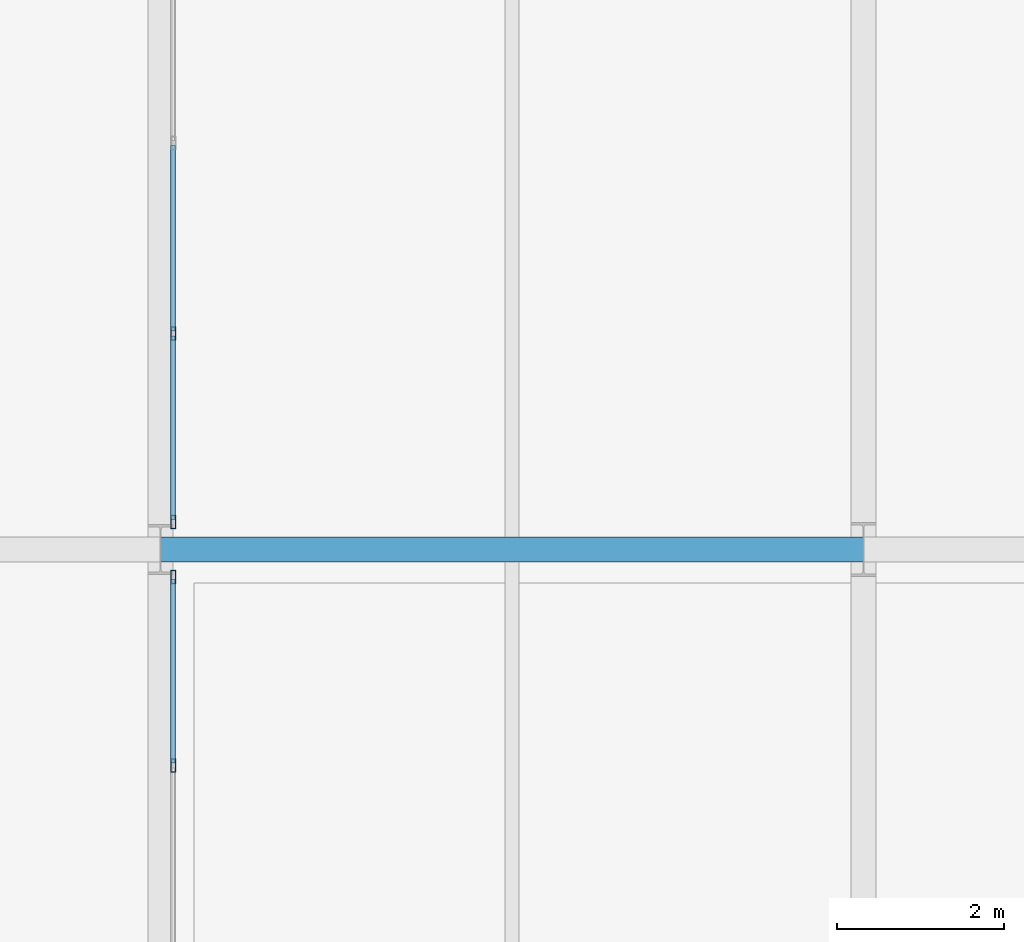
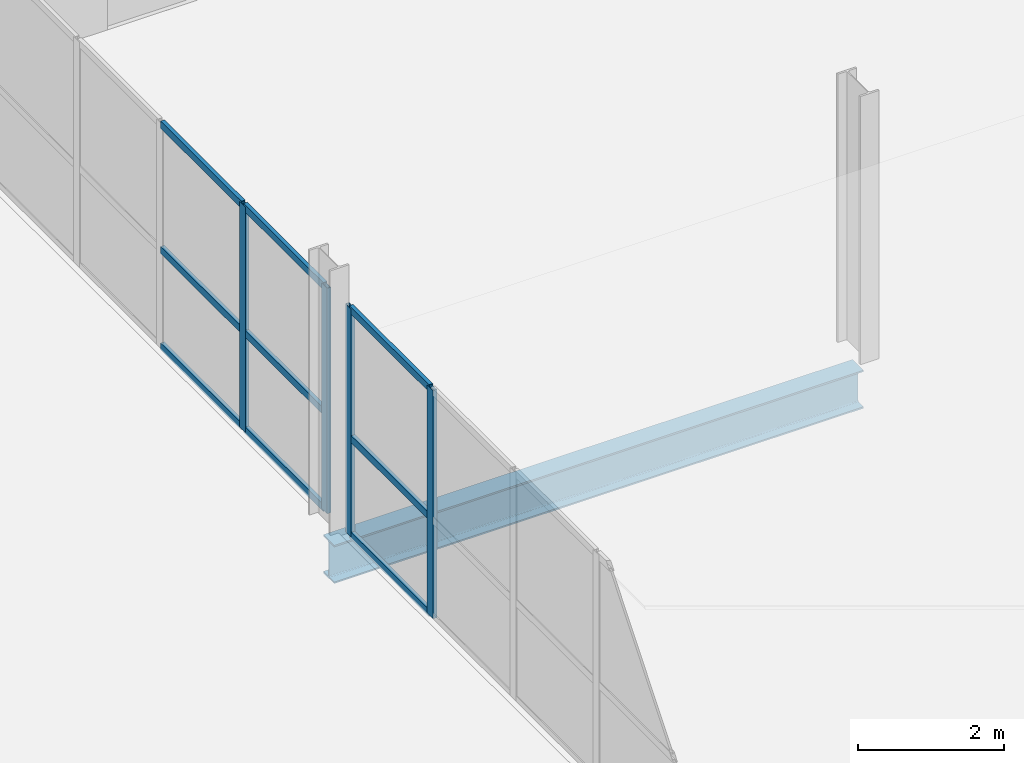
# One storey, part 42 of 130: 13 members, 1 beam, 2 elements without a shape of their own.
"""IFC4 building model written with IfcOpenShell, lengths in metres."""

from ifc_helpers import new_model, si_unit, direction, frame, origin, origin_2d, place, context, subcontext, project, spatial, hollow_rectangle, i_section, extrude, material, material_profile, profile_set, type_object, element, aggregate, save


model = new_model("IFC4")

# Units and contexts
model_context = context("Model", 3, precision=1e-05, world=origin(), true_north=direction((0.0, 1.0)))
body_context = subcontext(model_context, "Body", "Model", "MODEL_VIEW")
ifc_project = project(units=[si_unit("LENGTHUNIT", "METRE"), si_unit("AREAUNIT", "SQUARE_METRE"), si_unit("VOLUMEUNIT", "CUBIC_METRE"), si_unit("PLANEANGLEUNIT", "RADIAN"), si_unit("MASSUNIT", "GRAM", prefix="KILO")], contexts=[model_context])

# Site, building, storey
site_placement = place(None, origin())
site = spatial("IfcSite", under=ifc_project, at=site_placement, CompositionType="ELEMENT")
building_placement = place(site_placement, origin())
building = spatial("IfcBuilding", under=site, at=building_placement, Name="Veltarok Museum of Natural Sciences", CompositionType="ELEMENT")
storey_placement = place(building_placement, frame((0.0, 0.0, 12.89990234375)))
storey = spatial("IfcBuildingStorey", under=building, at=storey_placement, Name="L02", CompositionType="ELEMENT", Elevation=12.89990234375)

# Curtain wall, members
ifc_material_1 = material(Name="Low-iron triple insulated glass", Category="glass")
curtain_wall_type_1 = type_object("IfcCurtainWallType", Name="Curtain Wall System CW-V2W-L02-1-1140x383 (CW-V2W L02 1140x383cm)", PredefinedType="NOTDEFINED", material=ifc_material_1)
curtain_wall_1_placement = place(storey_placement, origin())
curtain_wall_1 = element("IfcCurtainWall", 1, at=curtain_wall_1_placement, inside=storey, type_object=curtain_wall_type_1, Name="Curtain Wall CW-V2W-L02-1-1140x383 CW-0141", PredefinedType="NOTDEFINED")
ifc_material_2 = material(Name="Thermally broken anodised aluminium", Category="aluminium")
ifc_material_profile_1 = material_profile(ifc_material_2, hollow_rectangle(XDim=0.06005859375, YDim=0.1201171875, WallThickness=0.0048828125, at=origin_2d()), Name="CW TRANSOM 60x120x5")
ifc_profile_set_1 = profile_set([ifc_material_profile_1], Name="Thermally broken anodised aluminium")
member_type_1 = type_object("IfcMemberType", Name="Curtain Wall Horizontal Transom 60x120x5", PredefinedType="USERDEFINED", material=ifc_profile_set_1)
member_1_placement = place(storey_placement, frame((40.14990234375, 45.449951171875, 0.028076171875), z_axis=(0.0, 1.0, 0.0), x_axis=(-1.0, 0.0, 0.0)))
member_1 = element("IfcMember", 2, at=member_1_placement, type_object=member_type_1, Name="CW-V2W-L02-1-1140x383 transom 5.1", ObjectType="TRANSOM", PredefinedType="USERDEFINED", context=body_context, shape_type="SweptSolid", body=[
    extrude(hollow_rectangle(XDim=0.06005859375, YDim=0.1201171875, WallThickness=0.0048828125, at=origin_2d()), origin(), (0.0, 0.0, 1.0), 2.18994140625),
])
member_2_placement = place(storey_placement, frame((40.14990234375, 45.449951171875, 1.648193359375), z_axis=(0.0, 1.0, 0.0), x_axis=(-1.0, 0.0, 0.0)))
member_2 = element("IfcMember", 3, at=member_2_placement, type_object=member_type_1, Name="CW-V2W-L02-1-1140x383 transom 5.2", ObjectType="TRANSOM", PredefinedType="USERDEFINED", context=body_context, shape_type="SweptSolid", body=[
    extrude(hollow_rectangle(XDim=0.06005859375, YDim=0.1201171875, WallThickness=0.0048828125, at=origin_2d()), origin(), (0.0, 0.0, 1.0), 2.18994140625),
])
member_3_placement = place(storey_placement, frame((40.14990234375, 45.449951171875, 3.800048828125), z_axis=(0.0, 1.0, 0.0), x_axis=(-1.0, 0.0, 0.0)))
member_3 = element("IfcMember", 4, at=member_3_placement, type_object=member_type_1, Name="CW-V2W-L02-1-1140x383 transom 5.3", ObjectType="TRANSOM", PredefinedType="USERDEFINED", context=body_context, shape_type="SweptSolid", body=[
    extrude(hollow_rectangle(XDim=0.06005859375, YDim=0.1201171875, WallThickness=0.0048828125, at=origin_2d()), origin(), (0.0, 0.0, 1.0), 2.18994140625),
])

curtain_wall_type_2 = type_object("IfcCurtainWallType", Name="Curtain Wall System CW-V2W-L02-2-1140x378 (CW-V2W L02 1140x378cm)", PredefinedType="NOTDEFINED", material=ifc_material_1)
curtain_wall_2_placement = place(storey_placement, origin())
curtain_wall_2 = element("IfcCurtainWall", 5, at=curtain_wall_2_placement, inside=storey, type_object=curtain_wall_type_2, Name="Curtain Wall CW-V2W-L02-2-1140x378 CW-0142", PredefinedType="NOTDEFINED")
member_4_placement = place(storey_placement, frame((40.14990234375, 48.360107421875, 0.028076171875), z_axis=(0.0, 1.0, 0.0), x_axis=(-1.0, 0.0, 0.0)))
member_4 = element("IfcMember", 6, at=member_4_placement, type_object=member_type_1, Name="CW-V2W-L02-2-1140x378 transom 1.1", ObjectType="TRANSOM", PredefinedType="USERDEFINED", context=body_context, shape_type="SweptSolid", body=[
    extrude(hollow_rectangle(XDim=0.06005859375, YDim=0.1201171875, WallThickness=0.0048828125, at=origin_2d()), origin(), (0.0, 0.0, 1.0), 2.18994140625),
])
member_5_placement = place(storey_placement, frame((40.14990234375, 48.360107421875, 1.648193359375), z_axis=(0.0, 1.0, 0.0), x_axis=(-1.0, 0.0, 0.0)))
member_5 = element("IfcMember", 7, at=member_5_placement, type_object=member_type_1, Name="CW-V2W-L02-2-1140x378 transom 1.2", ObjectType="TRANSOM", PredefinedType="USERDEFINED", context=body_context, shape_type="SweptSolid", body=[
    extrude(hollow_rectangle(XDim=0.06005859375, YDim=0.1201171875, WallThickness=0.0048828125, at=origin_2d()), origin(), (0.0, 0.0, 1.0), 2.18994140625),
])
member_6_placement = place(storey_placement, frame((40.14990234375, 48.360107421875, 3.75), z_axis=(0.0, 1.0, 0.0), x_axis=(-1.0, 0.0, 0.0)))
member_6 = element("IfcMember", 8, at=member_6_placement, type_object=member_type_1, Name="CW-V2W-L02-2-1140x378 transom 1.3", ObjectType="TRANSOM", PredefinedType="USERDEFINED", context=body_context, shape_type="SweptSolid", body=[
    extrude(hollow_rectangle(XDim=0.06005859375, YDim=0.1201171875, WallThickness=0.0048828125, at=origin_2d()), origin(), (0.0, 0.0, 1.0), 2.18994140625),
])
member_7_placement = place(storey_placement, frame((40.14990234375, 50.610107421875, 0.028076171875), z_axis=(0.0, 1.0, 0.0), x_axis=(-1.0, 0.0, 0.0)))
member_7 = element("IfcMember", 9, at=member_7_placement, type_object=member_type_1, Name="CW-V2W-L02-2-1140x378 transom 2.1", ObjectType="TRANSOM", PredefinedType="USERDEFINED", context=body_context, shape_type="SweptSolid", body=[
    extrude(hollow_rectangle(XDim=0.06005859375, YDim=0.1201171875, WallThickness=0.0048828125, at=origin_2d()), origin(), (0.0, 0.0, 1.0), 2.219970703125),
])
member_8_placement = place(storey_placement, frame((40.14990234375, 50.610107421875, 1.648193359375), z_axis=(0.0, 1.0, 0.0), x_axis=(-1.0, 0.0, 0.0)))
member_8 = element("IfcMember", 10, at=member_8_placement, type_object=member_type_1, Name="CW-V2W-L02-2-1140x378 transom 2.2", ObjectType="TRANSOM", PredefinedType="USERDEFINED", context=body_context, shape_type="SweptSolid", body=[
    extrude(hollow_rectangle(XDim=0.06005859375, YDim=0.1201171875, WallThickness=0.0048828125, at=origin_2d()), origin(), (0.0, 0.0, 1.0), 2.219970703125),
])
member_9_placement = place(storey_placement, frame((40.14990234375, 50.610107421875, 3.75), z_axis=(0.0, 1.0, 0.0), x_axis=(-1.0, 0.0, 0.0)))
member_9 = element("IfcMember", 11, at=member_9_placement, type_object=member_type_1, Name="CW-V2W-L02-2-1140x378 transom 2.3", ObjectType="TRANSOM", PredefinedType="USERDEFINED", context=body_context, shape_type="SweptSolid", body=[
    extrude(hollow_rectangle(XDim=0.06005859375, YDim=0.1201171875, WallThickness=0.0048828125, at=origin_2d()), origin(), (0.0, 0.0, 1.0), 2.219970703125),
])

# Member
ifc_material_profile_2 = material_profile(ifc_material_2, hollow_rectangle(XDim=0.06005859375, YDim=0.159912109375, WallThickness=0.0048828125, at=origin_2d()), Name="CW MULLION 60x160x5")
ifc_profile_set_2 = profile_set([ifc_material_profile_2], Name="Thermally broken anodised aluminium")
member_type_2 = type_object("IfcMemberType", Name="Curtain Wall Vertical Mullion 60x160x5", PredefinedType="MULLION", material=ifc_profile_set_2)
member_10_placement = place(storey_placement, frame((40.14990234375, 45.419921875, -0.001953125), z_axis=(0.0, 0.0, 1.0), x_axis=(-1.0, 0.0, 0.0)))
member_10 = element("IfcMember", 12, at=member_10_placement, type_object=member_type_2, Name="CW-V2W-L02-1-1140x383 mullion 5", PredefinedType="MULLION", context=body_context, shape_type="SweptSolid", body=[
    extrude(hollow_rectangle(XDim=0.06005859375, YDim=0.159912109375, WallThickness=0.0048828125, at=origin_2d()), origin(), (0.0, 0.0, 1.0), 3.83203125),
])

member_11_placement = place(storey_placement, frame((40.14990234375, 47.669921875, -0.001953125), z_axis=(0.0, 0.0, 1.0), x_axis=(-1.0, 0.0, 0.0)))
member_11 = element("IfcMember", 13, at=member_11_placement, type_object=member_type_2, Name="CW-V2W-L02-1-1140x383 mullion 6", PredefinedType="MULLION", context=body_context, shape_type="SweptSolid", body=[
    extrude(hollow_rectangle(XDim=0.06005859375, YDim=0.159912109375, WallThickness=0.0048828125, at=origin_2d()), origin(), (0.0, 0.0, 1.0), 3.83203125),
])

aggregate(curtain_wall_1, [member_10, member_11, member_1, member_2, member_3])

member_12_placement = place(storey_placement, frame((40.14990234375, 48.330078125, -0.001953125), z_axis=(0.0, 0.0, 1.0), x_axis=(-1.0, 0.0, 0.0)))
member_12 = element("IfcMember", 14, at=member_12_placement, type_object=member_type_2, Name="CW-V2W-L02-2-1140x378 mullion 1", PredefinedType="MULLION", context=body_context, shape_type="SweptSolid", body=[
    extrude(hollow_rectangle(XDim=0.06005859375, YDim=0.159912109375, WallThickness=0.0048828125, at=origin_2d()), origin(), (0.0, 0.0, 1.0), 3.781982421875),
])

member_13_placement = place(storey_placement, frame((40.14990234375, 50.580078125, -0.001953125), z_axis=(0.0, 0.0, 1.0), x_axis=(-1.0, 0.0, 0.0)))
member_13 = element("IfcMember", 15, at=member_13_placement, type_object=member_type_2, Name="CW-V2W-L02-2-1140x378 mullion 2", PredefinedType="MULLION", context=body_context, shape_type="SweptSolid", body=[
    extrude(hollow_rectangle(XDim=0.06005859375, YDim=0.159912109375, WallThickness=0.0048828125, at=origin_2d()), origin(), (0.0, 0.0, 1.0), 3.781982421875),
])

aggregate(curtain_wall_2, [member_12, member_13, member_4, member_5, member_6, member_7, member_8, member_9])

# Beam
ifc_material_3 = material(Name="Steel S355J2", Category="steel")
ifc_material_profile_3 = material_profile(ifc_material_3, i_section(OverallWidth=0.300048828125, OverallDepth=0.639892578125, WebThickness=0.013427734375, FlangeThickness=0.02587890625, FilletRadius=0.027099609375, at=origin_2d()), Name="HEA 650")
ifc_profile_set_3 = profile_set([ifc_material_profile_3], Name="Steel S355J2")
beam_type = type_object("IfcBeamType", Name="Heavy Exhibition Girder HEA 650", PredefinedType="BEAM", material=ifc_profile_set_3)
beam_placement = place(storey_placement, frame((40.0, 48.0, -0.56982421875), z_axis=(1.0, 0.0, 0.0), x_axis=(0.0, 1.0, 0.0)))
element("IfcBeam", 16, at=beam_placement, inside=storey, type_object=beam_type, Name="Beam BM-G08 L02 5-6/F", PredefinedType="BEAM", context=body_context, shape_type="SweptSolid", body=[
    extrude(i_section(OverallWidth=0.300048828125, OverallDepth=0.639892578125, WebThickness=0.013427734375, FlangeThickness=0.02587890625, FilletRadius=0.027099609375, at=origin_2d()), origin(), (0.0, 0.0, 1.0), 8.39990234375),
])

save(model, "model.ifc")
